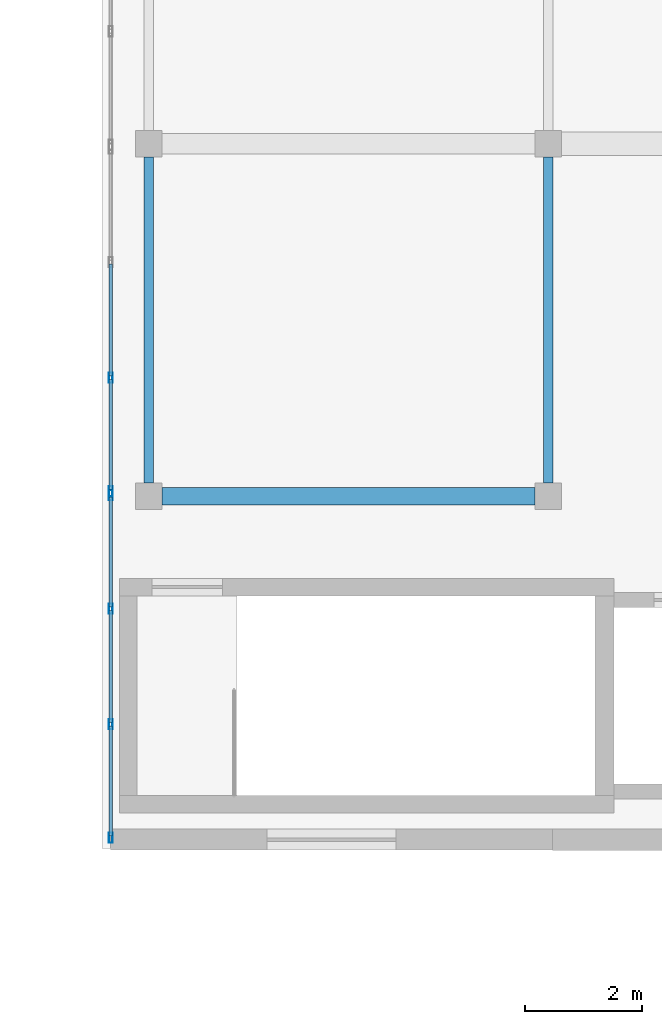
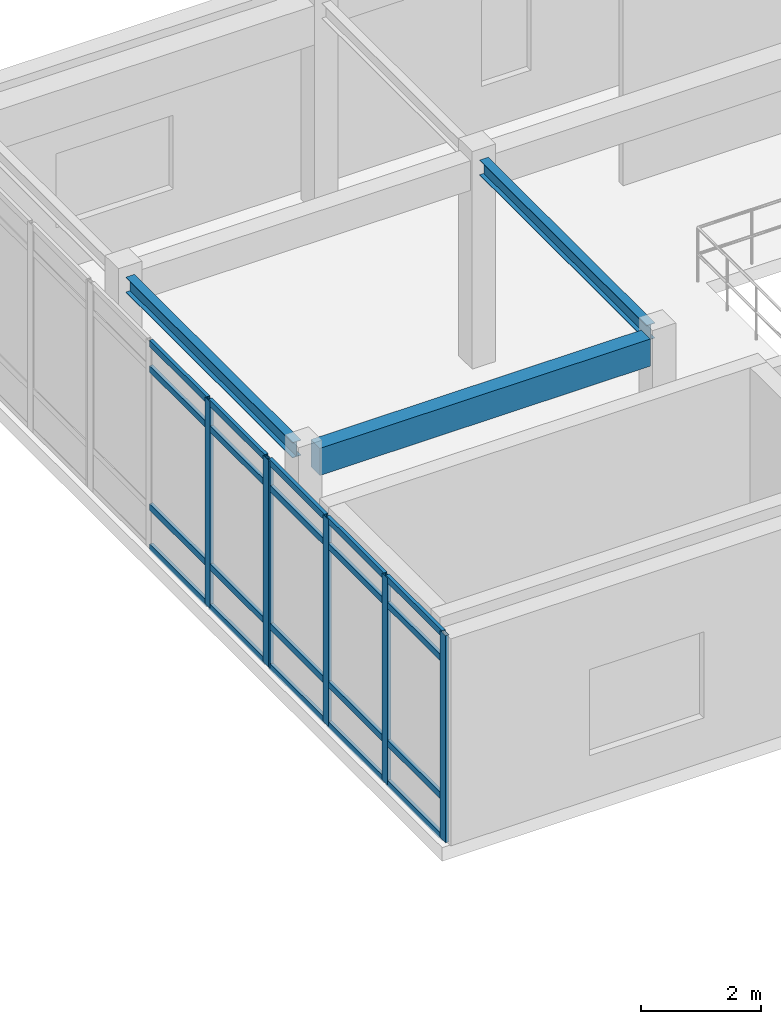
# One storey, part 98 of 142: 26 members, 3 beams, 2 elements without a shape of their own.
"""IFC4 building model written with IfcOpenShell, lengths in metres."""

from ifc_helpers import new_model, si_unit, direction, frame, origin, origin_2d, place, context, subcontext, project, spatial, rectangle, hollow_rectangle, i_section, extrude, material, layer, layer_set, material_profile, profile_set, type_object, element, aggregate, save


model = new_model("IFC4")

# Units and contexts
model_context = context("Model", 3, precision=1e-05, world=origin(), true_north=direction((0.0, 1.0)))
body_context = subcontext(model_context, "Body", "Model", "MODEL_VIEW")
ifc_project = project(units=[si_unit("LENGTHUNIT", "METRE"), si_unit("AREAUNIT", "SQUARE_METRE"), si_unit("VOLUMEUNIT", "CUBIC_METRE"), si_unit("PLANEANGLEUNIT", "RADIAN"), si_unit("MASSUNIT", "GRAM", prefix="KILO")], contexts=[model_context])

# Site, building, storey
site_placement = place(None, origin())
site = spatial("IfcSite", under=ifc_project, at=site_placement, CompositionType="ELEMENT")
building_placement = place(site_placement, origin())
building = spatial("IfcBuilding", under=site, at=building_placement, Name="Valcora Specialist Clinic", CompositionType="ELEMENT")
storey_placement = place(building_placement, frame((0.0, 0.0, 5.10009765625)))
storey = spatial("IfcBuildingStorey", under=building, at=storey_placement, Name="L01", CompositionType="ELEMENT", Elevation=5.10009765625)

# Beams
ifc_material_1 = material(Name="Steel ASTM A992 Grade 50", Category="steel")
ifc_material_profile_1 = material_profile(ifc_material_1, i_section(OverallWidth=0.1650390625, OverallDepth=0.31005859375, WebThickness=0.006103515625, FlangeThickness=0.010009765625, at=origin_2d()), Name="ST-IR-310X165")
ifc_profile_set_1 = profile_set([ifc_material_profile_1], Name="Steel ASTM A992 Grade 50")
beam_type_1 = type_object("IfcBeamType", Name="TY-BM-IR310", PredefinedType="BEAM", material=ifc_profile_set_1)
for number, where, z_axis, x_axis, name in (
    (1, (132.39990234375, 44.22509765625, 4.046142578125), (0.0, 1.0, 0.0), (-1.0, 0.0, 0.0), "Beam BM-L01-0436"),
    (2, (139.199951171875, 44.22509765625, 4.046142578125), (0.0, 1.0, 0.0), (-1.0, 0.0, 0.0), "Beam BM-L01-0438"),
):
    element("IfcBeam", number, at=place(storey_placement, frame(where, z_axis=z_axis, x_axis=x_axis)), inside=storey, type_object=beam_type_1, Name=name, PredefinedType="BEAM", context=body_context, shape_type="SweptSolid", body=[
        extrude(i_section(OverallWidth=0.1650390625, OverallDepth=0.31005859375, WebThickness=0.006103515625, FlangeThickness=0.010009765625, at=origin_2d()), origin(), (0.0, 0.0, 1.0), 5.5498046875),
    ])
ifc_material_2 = material(Name="Concrete C40/50", Category="concrete")
ifc_material_profile_2 = material_profile(ifc_material_2, rectangle(XDim=0.300048828125, YDim=0.550048828125, at=origin_2d()), Name="RC-BM-300X550")
ifc_profile_set_2 = profile_set([ifc_material_profile_2], Name="Concrete C40/50")
beam_type_2 = type_object("IfcBeamType", Name="TY-BM-RC300X550", PredefinedType="BEAM", material=ifc_profile_set_2)
beam_placement = place(storey_placement, frame((132.625, 44.0, 3.93017578125), z_axis=(1.0, 0.0, 0.0), x_axis=(0.0, 1.0, 0.0)))
element("IfcBeam", 3, at=beam_placement, inside=storey, type_object=beam_type_2, Name="Beam BM-L01-0427", PredefinedType="BEAM", context=body_context, shape_type="SweptSolid", body=[
    extrude(rectangle(XDim=0.300048828125, YDim=0.550048828125, at=origin_2d()), origin(), (0.0, 0.0, 1.0), 6.35009765625),
])

# Curtain wall, members
ifc_material_3 = material(Name="Anodized Bronze Aluminium 6063-T6", Category="aluminium")
ifc_layer = layer(ifc_material_3, 0.175048828125)
ifc_layer_set = layer_set([ifc_layer], Name="Anodized Bronze Aluminium 6063-T6")
curtain_wall_type = type_object("IfcCurtainWallType", Name="TY-CW-HAL18", PredefinedType="NOTDEFINED", material=ifc_layer_set)
curtain_wall_1_placement = place(storey_placement, origin())
curtain_wall_1 = element("IfcCurtainWall", 4, at=curtain_wall_1_placement, inside=storey, type_object=curtain_wall_type, Name="Curtain wall CW-L01-018", PredefinedType="NOTDEFINED")
ifc_material_profile_3 = material_profile(ifc_material_3, hollow_rectangle(XDim=0.06494140625, YDim=0.175048828125, WallThickness=0.00390625, at=origin_2d()), Name="AL-MUL-65X175")
ifc_profile_set_3 = profile_set([ifc_material_profile_3], Name="Anodized Bronze Aluminium 6063-T6")
member_type_1 = type_object("IfcMemberType", Name="TY-CWM-65X175", PredefinedType="MULLION", material=ifc_profile_set_3)
member_1_placement = place(storey_placement, frame((131.75, 38.1826171875, 0.0), z_axis=(0.0, 0.0, 1.0), x_axis=(-1.0, 0.0, 0.0)))
member_1 = element("IfcMember", 5, at=member_1_placement, type_object=member_type_1, Name="CW-HAL-18 mullion 1", PredefinedType="MULLION", context=body_context, shape_type="SweptSolid", body=[
    extrude(hollow_rectangle(XDim=0.06494140625, YDim=0.175048828125, WallThickness=0.00390625, at=origin_2d()), origin(), (0.0, 0.0, 1.0), 4.205322265625),
])
member_2_placement = place(storey_placement, frame((131.75, 40.11669921875, 0.0), z_axis=(0.0, 0.0, 1.0), x_axis=(-1.0, 0.0, 0.0)))
member_2 = element("IfcMember", 6, at=member_2_placement, type_object=member_type_1, Name="CW-HAL-18 mullion 2", PredefinedType="MULLION", context=body_context, shape_type="SweptSolid", body=[
    extrude(hollow_rectangle(XDim=0.06494140625, YDim=0.175048828125, WallThickness=0.00390625, at=origin_2d()), origin(), (0.0, 0.0, 1.0), 4.205322265625),
])
member_3_placement = place(storey_placement, frame((131.75, 42.083251953125, 0.0), z_axis=(0.0, 0.0, 1.0), x_axis=(-1.0, 0.0, 0.0)))
member_3 = element("IfcMember", 7, at=member_3_placement, type_object=member_type_1, Name="CW-HAL-18 mullion 3", PredefinedType="MULLION", context=body_context, shape_type="SweptSolid", body=[
    extrude(hollow_rectangle(XDim=0.06494140625, YDim=0.175048828125, WallThickness=0.00390625, at=origin_2d()), origin(), (0.0, 0.0, 1.0), 4.205322265625),
])
member_4_placement = place(storey_placement, frame((131.75, 44.017578125, 0.0), z_axis=(0.0, 0.0, 1.0), x_axis=(-1.0, 0.0, 0.0)))
member_4 = element("IfcMember", 8, at=member_4_placement, type_object=member_type_1, Name="CW-HAL-18 mullion 4", PredefinedType="MULLION", context=body_context, shape_type="SweptSolid", body=[
    extrude(hollow_rectangle(XDim=0.06494140625, YDim=0.175048828125, WallThickness=0.00390625, at=origin_2d()), origin(), (0.0, 0.0, 1.0), 4.205322265625),
])

curtain_wall_2_placement = place(storey_placement, origin())
curtain_wall_2 = element("IfcCurtainWall", 9, at=curtain_wall_2_placement, inside=storey, type_object=curtain_wall_type, Name="Curtain wall CW-L01-019", PredefinedType="NOTDEFINED")
member_5_placement = place(storey_placement, frame((131.75, 44.08251953125, 0.0), z_axis=(0.0, 0.0, 1.0), x_axis=(-1.0, 0.0, 0.0)))
member_5 = element("IfcMember", 10, at=member_5_placement, type_object=member_type_1, Name="CW-HAL-18 mullion 1", PredefinedType="MULLION", context=body_context, shape_type="SweptSolid", body=[
    extrude(hollow_rectangle(XDim=0.06494140625, YDim=0.175048828125, WallThickness=0.00390625, at=origin_2d()), origin(), (0.0, 0.0, 1.0), 4.205322265625),
])
member_6_placement = place(storey_placement, frame((131.75, 46.0166015625, 0.0), z_axis=(0.0, 0.0, 1.0), x_axis=(-1.0, 0.0, 0.0)))
member_6 = element("IfcMember", 11, at=member_6_placement, type_object=member_type_1, Name="CW-HAL-18 mullion 2", PredefinedType="MULLION", context=body_context, shape_type="SweptSolid", body=[
    extrude(hollow_rectangle(XDim=0.06494140625, YDim=0.175048828125, WallThickness=0.00390625, at=origin_2d()), origin(), (0.0, 0.0, 1.0), 4.205322265625),
])

# Member
ifc_material_profile_4 = material_profile(ifc_material_3, hollow_rectangle(XDim=0.06494140625, YDim=0.1298828125, WallThickness=0.00390625, at=origin_2d()), Name="AL-TRN-65X130")
ifc_profile_set_4 = profile_set([ifc_material_profile_4], Name="Anodized Bronze Aluminium 6063-T6")
member_type_2 = type_object("IfcMemberType", Name="TY-CWT-65X130", PredefinedType="USERDEFINED", material=ifc_profile_set_4)
member_7_placement = place(storey_placement, frame((131.75, 38.215087890625, 0.032470703125), z_axis=(0.0, 1.0, 0.0), x_axis=(-1.0, 0.0, 0.0)))
member_7 = element("IfcMember", 12, at=member_7_placement, type_object=member_type_2, Name="CW-HAL-18 transom 1.1", ObjectType="TRANSOM", PredefinedType="USERDEFINED", context=body_context, shape_type="SweptSolid", body=[
    extrude(hollow_rectangle(XDim=0.06494140625, YDim=0.1298828125, WallThickness=0.00390625, at=origin_2d()), origin(), (0.0, 0.0, 1.0), 1.869140625),
])

member_8_placement = place(storey_placement, frame((131.75, 38.215087890625, 0.849853515625), z_axis=(0.0, 1.0, 0.0), x_axis=(-1.0, 0.0, 0.0)))
member_8 = element("IfcMember", 13, at=member_8_placement, type_object=member_type_2, Name="CW-HAL-18 transom 1.2", ObjectType="TRANSOM", PredefinedType="USERDEFINED", context=body_context, shape_type="SweptSolid", body=[
    extrude(hollow_rectangle(XDim=0.06494140625, YDim=0.1298828125, WallThickness=0.00390625, at=origin_2d()), origin(), (0.0, 0.0, 1.0), 1.869140625),
])

member_9_placement = place(storey_placement, frame((131.75, 38.215087890625, 3.65478515625), z_axis=(0.0, 1.0, 0.0), x_axis=(-1.0, 0.0, 0.0)))
member_9 = element("IfcMember", 14, at=member_9_placement, type_object=member_type_2, Name="CW-HAL-18 transom 1.3", ObjectType="TRANSOM", PredefinedType="USERDEFINED", context=body_context, shape_type="SweptSolid", body=[
    extrude(hollow_rectangle(XDim=0.06494140625, YDim=0.1298828125, WallThickness=0.00390625, at=origin_2d()), origin(), (0.0, 0.0, 1.0), 1.869140625),
])

member_10_placement = place(storey_placement, frame((131.75, 38.215087890625, 4.172607421875), z_axis=(0.0, 1.0, 0.0), x_axis=(-1.0, 0.0, 0.0)))
member_10 = element("IfcMember", 15, at=member_10_placement, type_object=member_type_2, Name="CW-HAL-18 transom 1.4", ObjectType="TRANSOM", PredefinedType="USERDEFINED", context=body_context, shape_type="SweptSolid", body=[
    extrude(hollow_rectangle(XDim=0.06494140625, YDim=0.1298828125, WallThickness=0.00390625, at=origin_2d()), origin(), (0.0, 0.0, 1.0), 1.869140625),
])

member_11_placement = place(storey_placement, frame((131.75, 40.149169921875, 0.032470703125), z_axis=(0.0, 1.0, 0.0), x_axis=(-1.0, 0.0, 0.0)))
member_11 = element("IfcMember", 16, at=member_11_placement, type_object=member_type_2, Name="CW-HAL-18 transom 2.1", ObjectType="TRANSOM", PredefinedType="USERDEFINED", context=body_context, shape_type="SweptSolid", body=[
    extrude(hollow_rectangle(XDim=0.06494140625, YDim=0.1298828125, WallThickness=0.00390625, at=origin_2d()), origin(), (0.0, 0.0, 1.0), 1.901611328125),
])

member_12_placement = place(storey_placement, frame((131.75, 40.149169921875, 0.849853515625), z_axis=(0.0, 1.0, 0.0), x_axis=(-1.0, 0.0, 0.0)))
member_12 = element("IfcMember", 17, at=member_12_placement, type_object=member_type_2, Name="CW-HAL-18 transom 2.2", ObjectType="TRANSOM", PredefinedType="USERDEFINED", context=body_context, shape_type="SweptSolid", body=[
    extrude(hollow_rectangle(XDim=0.06494140625, YDim=0.1298828125, WallThickness=0.00390625, at=origin_2d()), origin(), (0.0, 0.0, 1.0), 1.901611328125),
])

member_13_placement = place(storey_placement, frame((131.75, 40.149169921875, 3.65478515625), z_axis=(0.0, 1.0, 0.0), x_axis=(-1.0, 0.0, 0.0)))
member_13 = element("IfcMember", 18, at=member_13_placement, type_object=member_type_2, Name="CW-HAL-18 transom 2.3", ObjectType="TRANSOM", PredefinedType="USERDEFINED", context=body_context, shape_type="SweptSolid", body=[
    extrude(hollow_rectangle(XDim=0.06494140625, YDim=0.1298828125, WallThickness=0.00390625, at=origin_2d()), origin(), (0.0, 0.0, 1.0), 1.901611328125),
])

member_14_placement = place(storey_placement, frame((131.75, 40.149169921875, 4.172607421875), z_axis=(0.0, 1.0, 0.0), x_axis=(-1.0, 0.0, 0.0)))
member_14 = element("IfcMember", 19, at=member_14_placement, type_object=member_type_2, Name="CW-HAL-18 transom 2.4", ObjectType="TRANSOM", PredefinedType="USERDEFINED", context=body_context, shape_type="SweptSolid", body=[
    extrude(hollow_rectangle(XDim=0.06494140625, YDim=0.1298828125, WallThickness=0.00390625, at=origin_2d()), origin(), (0.0, 0.0, 1.0), 1.901611328125),
])

member_15_placement = place(storey_placement, frame((131.75, 42.11572265625, 0.032470703125), z_axis=(0.0, 1.0, 0.0), x_axis=(-1.0, 0.0, 0.0)))
member_15 = element("IfcMember", 20, at=member_15_placement, type_object=member_type_2, Name="CW-HAL-18 transom 3.1", ObjectType="TRANSOM", PredefinedType="USERDEFINED", context=body_context, shape_type="SweptSolid", body=[
    extrude(hollow_rectangle(XDim=0.06494140625, YDim=0.1298828125, WallThickness=0.00390625, at=origin_2d()), origin(), (0.0, 0.0, 1.0), 1.869384765625),
])

member_16_placement = place(storey_placement, frame((131.75, 42.11572265625, 0.849853515625), z_axis=(0.0, 1.0, 0.0), x_axis=(-1.0, 0.0, 0.0)))
member_16 = element("IfcMember", 21, at=member_16_placement, type_object=member_type_2, Name="CW-HAL-18 transom 3.2", ObjectType="TRANSOM", PredefinedType="USERDEFINED", context=body_context, shape_type="SweptSolid", body=[
    extrude(hollow_rectangle(XDim=0.06494140625, YDim=0.1298828125, WallThickness=0.00390625, at=origin_2d()), origin(), (0.0, 0.0, 1.0), 1.869384765625),
])

member_17_placement = place(storey_placement, frame((131.75, 42.11572265625, 3.65478515625), z_axis=(0.0, 1.0, 0.0), x_axis=(-1.0, 0.0, 0.0)))
member_17 = element("IfcMember", 22, at=member_17_placement, type_object=member_type_2, Name="CW-HAL-18 transom 3.3", ObjectType="TRANSOM", PredefinedType="USERDEFINED", context=body_context, shape_type="SweptSolid", body=[
    extrude(hollow_rectangle(XDim=0.06494140625, YDim=0.1298828125, WallThickness=0.00390625, at=origin_2d()), origin(), (0.0, 0.0, 1.0), 1.869384765625),
])

member_18_placement = place(storey_placement, frame((131.75, 42.11572265625, 4.172607421875), z_axis=(0.0, 1.0, 0.0), x_axis=(-1.0, 0.0, 0.0)))
member_18 = element("IfcMember", 23, at=member_18_placement, type_object=member_type_2, Name="CW-HAL-18 transom 3.4", ObjectType="TRANSOM", PredefinedType="USERDEFINED", context=body_context, shape_type="SweptSolid", body=[
    extrude(hollow_rectangle(XDim=0.06494140625, YDim=0.1298828125, WallThickness=0.00390625, at=origin_2d()), origin(), (0.0, 0.0, 1.0), 1.869384765625),
])

aggregate(curtain_wall_1, [member_1, member_2, member_3, member_4, member_7, member_8, member_9, member_10, member_11, member_12, member_13, member_14, member_15, member_16, member_17, member_18])

member_19_placement = place(storey_placement, frame((131.75, 44.114990234375, 0.032470703125), z_axis=(0.0, 1.0, 0.0), x_axis=(-1.0, 0.0, 0.0)))
member_19 = element("IfcMember", 24, at=member_19_placement, type_object=member_type_2, Name="CW-HAL-18 transom 1.1", ObjectType="TRANSOM", PredefinedType="USERDEFINED", context=body_context, shape_type="SweptSolid", body=[
    extrude(hollow_rectangle(XDim=0.06494140625, YDim=0.1298828125, WallThickness=0.00390625, at=origin_2d()), origin(), (0.0, 0.0, 1.0), 1.869140625),
])

member_20_placement = place(storey_placement, frame((131.75, 44.114990234375, 0.849853515625), z_axis=(0.0, 1.0, 0.0), x_axis=(-1.0, 0.0, 0.0)))
member_20 = element("IfcMember", 25, at=member_20_placement, type_object=member_type_2, Name="CW-HAL-18 transom 1.2", ObjectType="TRANSOM", PredefinedType="USERDEFINED", context=body_context, shape_type="SweptSolid", body=[
    extrude(hollow_rectangle(XDim=0.06494140625, YDim=0.1298828125, WallThickness=0.00390625, at=origin_2d()), origin(), (0.0, 0.0, 1.0), 1.869140625),
])

member_21_placement = place(storey_placement, frame((131.75, 44.114990234375, 3.65478515625), z_axis=(0.0, 1.0, 0.0), x_axis=(-1.0, 0.0, 0.0)))
member_21 = element("IfcMember", 26, at=member_21_placement, type_object=member_type_2, Name="CW-HAL-18 transom 1.3", ObjectType="TRANSOM", PredefinedType="USERDEFINED", context=body_context, shape_type="SweptSolid", body=[
    extrude(hollow_rectangle(XDim=0.06494140625, YDim=0.1298828125, WallThickness=0.00390625, at=origin_2d()), origin(), (0.0, 0.0, 1.0), 1.869140625),
])

member_22_placement = place(storey_placement, frame((131.75, 44.114990234375, 4.172607421875), z_axis=(0.0, 1.0, 0.0), x_axis=(-1.0, 0.0, 0.0)))
member_22 = element("IfcMember", 27, at=member_22_placement, type_object=member_type_2, Name="CW-HAL-18 transom 1.4", ObjectType="TRANSOM", PredefinedType="USERDEFINED", context=body_context, shape_type="SweptSolid", body=[
    extrude(hollow_rectangle(XDim=0.06494140625, YDim=0.1298828125, WallThickness=0.00390625, at=origin_2d()), origin(), (0.0, 0.0, 1.0), 1.869140625),
])

member_23_placement = place(storey_placement, frame((131.75, 46.049072265625, 0.032470703125), z_axis=(0.0, 1.0, 0.0), x_axis=(-1.0, 0.0, 0.0)))
member_23 = element("IfcMember", 28, at=member_23_placement, type_object=member_type_2, Name="CW-HAL-18 transom 2.1", ObjectType="TRANSOM", PredefinedType="USERDEFINED", context=body_context, shape_type="SweptSolid", body=[
    extrude(hollow_rectangle(XDim=0.06494140625, YDim=0.1298828125, WallThickness=0.00390625, at=origin_2d()), origin(), (0.0, 0.0, 1.0), 1.90185546875),
])

member_24_placement = place(storey_placement, frame((131.75, 46.049072265625, 0.849853515625), z_axis=(0.0, 1.0, 0.0), x_axis=(-1.0, 0.0, 0.0)))
member_24 = element("IfcMember", 29, at=member_24_placement, type_object=member_type_2, Name="CW-HAL-18 transom 2.2", ObjectType="TRANSOM", PredefinedType="USERDEFINED", context=body_context, shape_type="SweptSolid", body=[
    extrude(hollow_rectangle(XDim=0.06494140625, YDim=0.1298828125, WallThickness=0.00390625, at=origin_2d()), origin(), (0.0, 0.0, 1.0), 1.90185546875),
])

member_25_placement = place(storey_placement, frame((131.75, 46.049072265625, 3.65478515625), z_axis=(0.0, 1.0, 0.0), x_axis=(-1.0, 0.0, 0.0)))
member_25 = element("IfcMember", 30, at=member_25_placement, type_object=member_type_2, Name="CW-HAL-18 transom 2.3", ObjectType="TRANSOM", PredefinedType="USERDEFINED", context=body_context, shape_type="SweptSolid", body=[
    extrude(hollow_rectangle(XDim=0.06494140625, YDim=0.1298828125, WallThickness=0.00390625, at=origin_2d()), origin(), (0.0, 0.0, 1.0), 1.90185546875),
])

member_26_placement = place(storey_placement, frame((131.75, 46.049072265625, 4.172607421875), z_axis=(0.0, 1.0, 0.0), x_axis=(-1.0, 0.0, 0.0)))
member_26 = element("IfcMember", 31, at=member_26_placement, type_object=member_type_2, Name="CW-HAL-18 transom 2.4", ObjectType="TRANSOM", PredefinedType="USERDEFINED", context=body_context, shape_type="SweptSolid", body=[
    extrude(hollow_rectangle(XDim=0.06494140625, YDim=0.1298828125, WallThickness=0.00390625, at=origin_2d()), origin(), (0.0, 0.0, 1.0), 1.90185546875),
])

aggregate(curtain_wall_2, [member_5, member_6, member_19, member_20, member_21, member_22, member_23, member_24, member_25, member_26])

save(model, "model.ifc")
